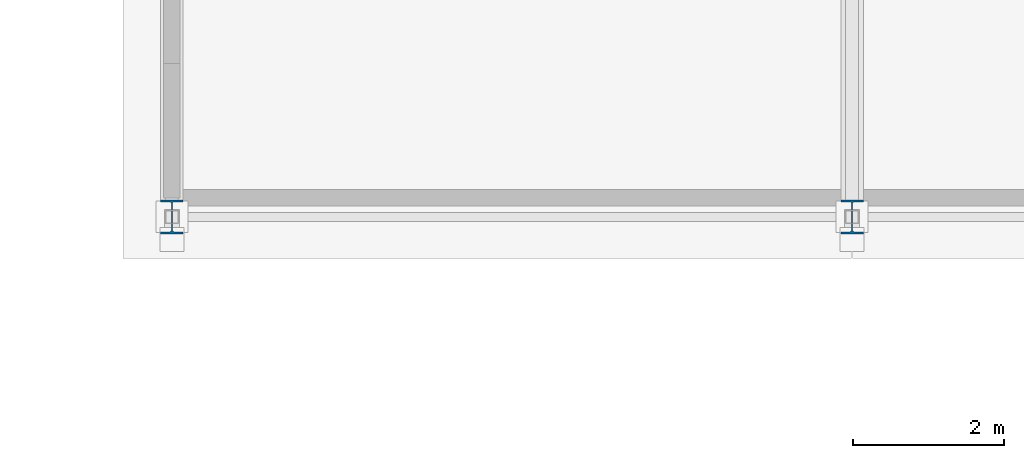
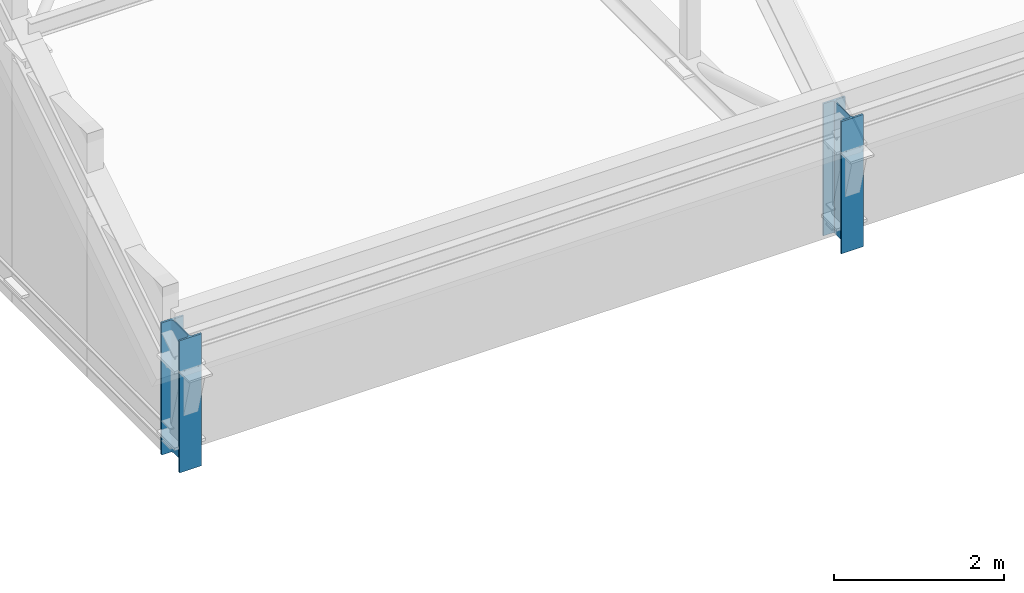
# One storey, part 2 of 182: 2 columns.
"""IFC4 building model written with IfcOpenShell, lengths in metres."""

from ifc_helpers import new_model, si_unit, direction, frame, origin, origin_2d, place, context, subcontext, project, spatial, i_section, extrude, material, material_profile, profile_set, type_object, element, save


model = new_model("IFC4")

# Units and contexts
model_context = context("Model", 3, precision=1e-05, world=origin(), true_north=direction((0.0, 1.0)))
body_context = subcontext(model_context, "Body", "Model", "MODEL_VIEW")
ifc_project = project(units=[si_unit("LENGTHUNIT", "METRE"), si_unit("AREAUNIT", "SQUARE_METRE"), si_unit("VOLUMEUNIT", "CUBIC_METRE"), si_unit("PLANEANGLEUNIT", "RADIAN"), si_unit("MASSUNIT", "GRAM", prefix="KILO")], contexts=[model_context])

# Site, building, storey
site_placement = place(None, origin())
site = spatial("IfcSite", under=ifc_project, at=site_placement, CompositionType="ELEMENT")
building_placement = place(site_placement, origin())
building = spatial("IfcBuilding", under=site, at=building_placement, Name="Chiffa Square Polytechnic", CompositionType="ELEMENT")
storey_placement = place(building_placement, frame((0.0, 0.0, 9.60009765625)))
storey = spatial("IfcBuildingStorey", under=building, at=storey_placement, Name="L02", CompositionType="ELEMENT", Elevation=9.60009765625)

# Columns
ifc_material = material(Name="Steel S355", Category="steel")
ifc_material_profile = material_profile(ifc_material, i_section(OverallWidth=0.300048828125, OverallDepth=0.449951171875, WebThickness=0.013916015625, FlangeThickness=0.02587890625, FilletRadius=0.027099609375, at=origin_2d()), Name="HEB 450")
ifc_profile_set = profile_set([ifc_material_profile], Name="Steel S355")
column_type = type_object("IfcColumnType", Name="COL-STL-HEB450", PredefinedType="COLUMN", material=ifc_profile_set)
for number, where, z_axis, x_axis, name in (
    (1, (112.199951171875, 58.199951171875, 0.0), (0.0, 0.0, 1.0), (1.0, 0.0, 0.0), "Workshop roof column C-V2-L02-1122-0582"),
    (2, (121.199951171875, 58.199951171875, 0.0), (0.0, 0.0, 1.0), (1.0, 0.0, 0.0), "Workshop roof column C-V2-L02-1212-0582"),
):
    element("IfcColumn", number, at=place(storey_placement, frame(where, z_axis=z_axis, x_axis=x_axis)), inside=storey, type_object=column_type, Name=name, PredefinedType="COLUMN", context=body_context, shape_type="SweptSolid", body=[
        extrude(i_section(OverallWidth=0.300048828125, OverallDepth=0.449951171875, WebThickness=0.013916015625, FlangeThickness=0.02587890625, FilletRadius=0.027099609375, at=origin_2d()), origin(), (0.0, 0.0, 1.0), 1.89990234375),
    ])

save(model, "model.ifc")
